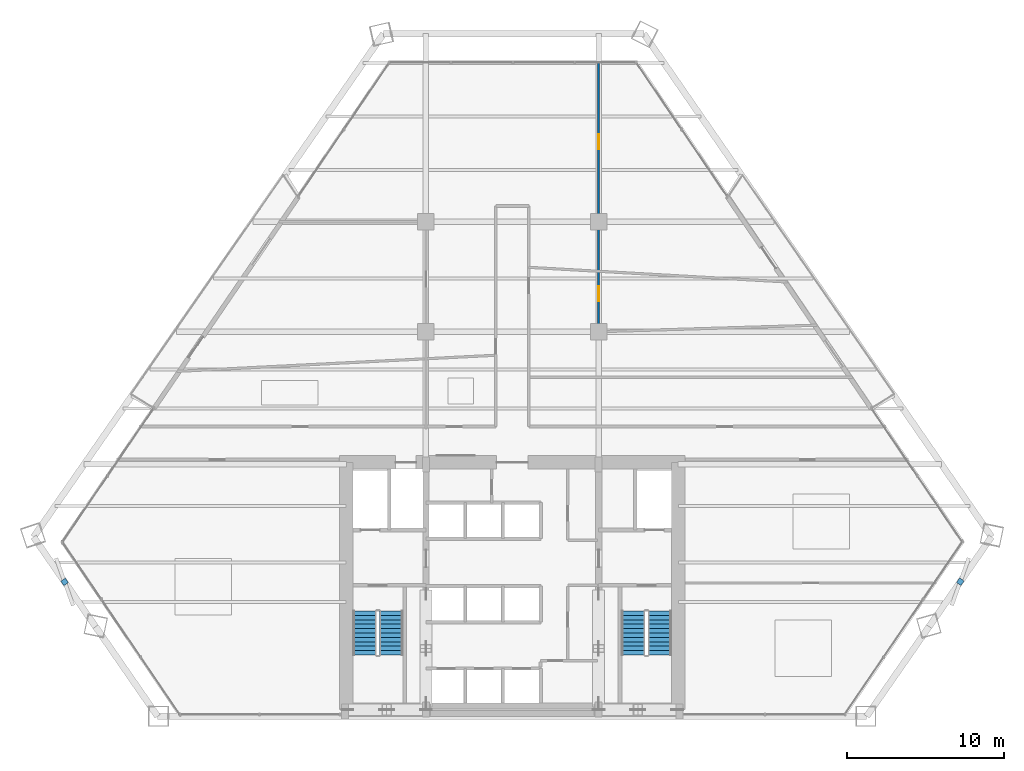
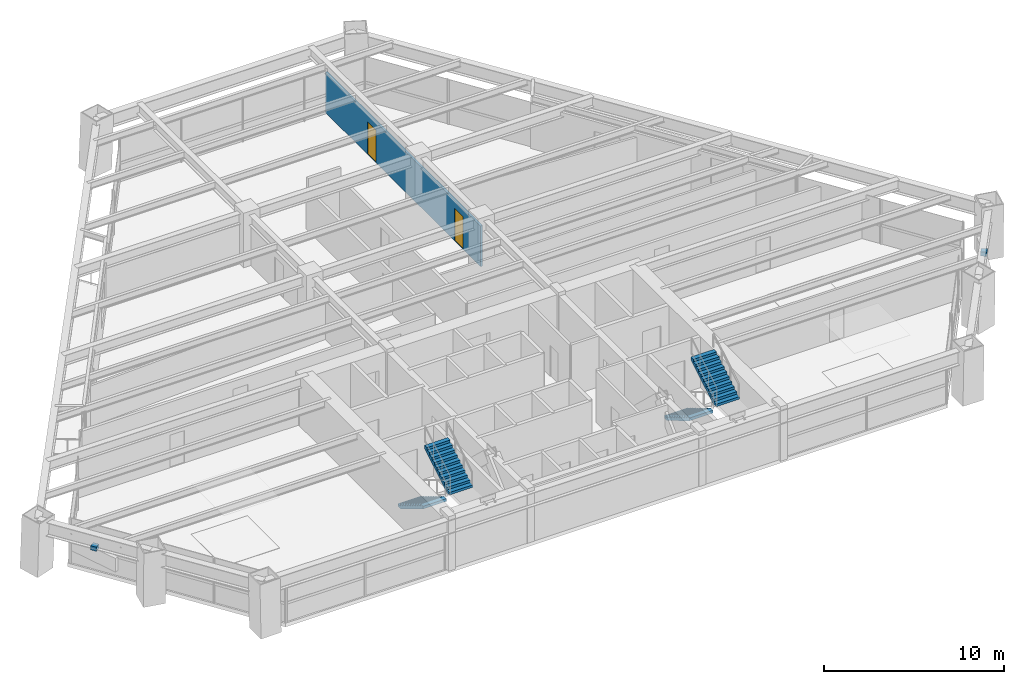
# One storey, part 12 of 14: 4 stair flights, 2 discrete accessories, 2 doors, 1 wall, 2 openings, 2 elements without a shape of their own.
"""IFC4 building model written with IfcOpenShell, lengths in metres."""

from ifc_helpers import new_model, si_unit, direction, frame, frame_2d, origin, origin_2d, place, context, subcontext, project, spatial, polyline, rectangle, outline, extrude, source, transform, mapped, material, layer, layer_set, type_object, type_shapes, element, fill, aggregate, save


model = new_model("IFC4")

# Units and contexts
model_context = context("Model", 3, precision=1e-05, world=origin(), true_north=direction((0.0, 1.0)))
body_context = subcontext(model_context, "Body", "Model", "MODEL_VIEW")
ifc_project = project(units=[si_unit("LENGTHUNIT", "METRE"), si_unit("AREAUNIT", "SQUARE_METRE"), si_unit("VOLUMEUNIT", "CUBIC_METRE"), si_unit("PLANEANGLEUNIT", "RADIAN"), si_unit("MASSUNIT", "GRAM", prefix="KILO")], contexts=[model_context])

# Site, building, storey
site_placement = place(None, origin())
site = spatial("IfcSite", under=ifc_project, at=site_placement, CompositionType="ELEMENT")
building_placement = place(site_placement, origin())
building = spatial("IfcBuilding", under=site, at=building_placement, Name="Varnakhor Terracotta Tower", CompositionType="ELEMENT")
storey_placement = place(building_placement, frame((0.0, 0.0, 31.199951171875)))
storey = spatial("IfcBuildingStorey", under=building, at=storey_placement, Name="L06", CompositionType="ELEMENT", Elevation=31.199951171875)

# Wall, openings, doors
ifc_material_1 = material(Name="Acoustic Metal-Stud Partition", Category="gypsum")
ifc_layer = layer(ifc_material_1, 0.139892578125, Name="Acoustic Metal-Stud Partition")
ifc_layer_set = layer_set([ifc_layer], Name="Acoustic Metal-Stud Partition")
wall_type = type_object("IfcWallType", Name="WAL-PART-140", PredefinedType="PARTITIONING", material=ifc_layer_set)
wall_placement = place(storey_placement, frame((5.5, 24.5, 0.0), z_axis=(0.0, 0.0, 1.0), x_axis=(0.0, 1.0, 0.0)))
wall = element("IfcWall", 1, at=wall_placement, inside=storey, type_object=wall_type, Name="L06 East Column Line Wall", PredefinedType="PARTITIONING", context=body_context, shape_type="SweptSolid", body=[
    extrude(rectangle(XDim=17.251220703125, YDim=0.139892578125, at=frame_2d((8.62548828125, 0.0))), origin(), (0.0, 0.0, 1.0), 2.7470703125),
])
opening_1_placement = place(wall_placement, frame((1.943115234375, 0.0, 0.0)))
opening_1 = element("IfcOpeningElement", 2, at=opening_1_placement, cuts=wall, Name="Opening DR-94", PredefinedType="OPENING", context=body_context, shape_type="SweptSolid", body=[
    extrude(rectangle(XDim=0.949951171875, YDim=2.199951171875, at=frame_2d((0.47509765625, 1.10009765625))), frame((0.0, 0.080078125, 0.0), z_axis=(0.0, -1.0, 0.0), x_axis=(1.0, 0.0, 0.0)), (0.0, 0.0, 1.0), 0.159912109375),
])
opening_2_placement = place(wall_placement, frame((11.61279296875, 0.0, 0.0)))
opening_2 = element("IfcOpeningElement", 3, at=opening_2_placement, cuts=wall, Name="Opening DR-94", PredefinedType="OPENING", context=body_context, shape_type="SweptSolid", body=[
    extrude(rectangle(XDim=0.949951171875, YDim=2.199951171875, at=frame_2d((0.47509765625, 1.10009765625))), frame((0.0, 0.080078125, 0.0), z_axis=(0.0, -1.0, 0.0), x_axis=(1.0, 0.0, 0.0)), (0.0, 0.0, 1.0), 0.159912109375),
])
ifc_material_2 = material(Name="Acoustic Glazed-Vision Timber Office Door", Category="wood")
door_type = type_object("IfcDoorType", Name="DR-OFF-950X2200", OperationType="NOTDEFINED", PredefinedType="DOOR", material=ifc_material_2)
shared_shape_1 = source(origin(), body_context, "Body", "SweptSolid", [
    extrude(rectangle(XDim=0.949951171875, YDim=2.199951171875, at=frame_2d((0.47509765625, 1.10009765625))), frame((0.0, 0.02490234375, 0.0), z_axis=(0.0, -1.0, 0.0), x_axis=(1.0, 0.0, 0.0)), (0.0, 0.0, 1.0), 0.050048828125),
])
type_shapes(door_type, [shared_shape_1])
door_1_placement = place(opening_1_placement, origin())
door_1 = element("IfcDoor", 4, at=door_1_placement, inside=storey, type_object=door_type, Name="L06 Client Lounge Door", OperationType="SINGLE_SWING_LEFT", OverallHeight=2.199951171875, OverallWidth=0.949951171875, PredefinedType="DOOR", context=body_context, shape_type="MappedRepresentation", body=[
    mapped(shared_shape_1, transform((0.0, 0.0, 0.0), scale=1.0)),
])
fill(opening_1, door_1)
door_2_placement = place(opening_2_placement, origin())
door_2 = element("IfcDoor", 5, at=door_2_placement, inside=storey, type_object=door_type, Name="L06 Focus Study 1 Door", OperationType="SINGLE_SWING_LEFT", OverallHeight=2.199951171875, OverallWidth=0.949951171875, PredefinedType="DOOR", context=body_context, shape_type="MappedRepresentation", body=[
    mapped(shared_shape_1, transform((0.0, 0.0, 0.0), scale=1.0)),
])
fill(opening_2, door_2)

# Stair, stair flights
ifc_material_3 = material(Name="Concrete C40/50", Category="concrete")
stair_type = type_object("IfcStairType", Name="STR-CORE-OFFICE-1500", PredefinedType="HALF_TURN_STAIR", material=ifc_material_3)
stair_1_placement = place(storey_placement, origin())
stair_1 = element("IfcStair", 6, at=stair_1_placement, inside=storey, type_object=stair_type, Name="L06 Core Exit Stair ST-1", PredefinedType="HALF_TURN_STAIR")
stair_flight_type = type_object("IfcStairFlightType", Name="FLT-CORE-1500", PredefinedType="STRAIGHT", material=ifc_material_3)
stair_flight_1_placement = place(storey_placement, frame((-9.39990234375, 6.7099609375, 0.0), z_axis=(0.0, 0.0, 1.0), x_axis=(0.0, -1.0, 0.0)))
stair_flight_1 = element("IfcStairFlight", 7, at=stair_flight_1_placement, type_object=stair_flight_type, Name="ST-1 flight 1", NumberOfRisers=11, NumberOfTreads=10, PredefinedType="STRAIGHT", RiserHeight=0.168181818, TreadLength=0.28, context=body_context, shape_type="SweptSolid", body=[
    extrude(outline(polyline([(0.0, 0.0), (0.0, 0.168212890625), (0.280029296875, 0.168212890625), (0.280029296875, 0.33642578125), (0.56005859375, 0.33642578125), (0.56005859375, 0.504638671875), (0.840087890625, 0.504638671875), (0.840087890625, 0.672607421875), (1.1201171875, 0.672607421875), (1.1201171875, 0.8408203125), (1.39990234375, 0.8408203125), (1.39990234375, 1.009033203125), (1.679931640625, 1.009033203125), (1.679931640625, 1.17724609375), (1.9599609375, 1.17724609375), (1.9599609375, 1.345458984375), (2.239990234375, 1.345458984375), (2.239990234375, 1.513671875), (2.52001953125, 1.513671875), (2.52001953125, 1.681884765625), (2.800048828125, 1.681884765625), (2.800048828125, 1.85009765625), (2.800048828125, 1.495361328125), (0.310546875, 0.0), (0.0, 0.0)])), frame((0.0, 0.75, 0.0), z_axis=(0.0, -1.0, 0.0), x_axis=(1.0, 0.0, 0.0)), (0.0, 0.0, 1.0), 1.5),
])
stair_flight_2_placement = place(storey_placement, frame((-7.699951171875, 3.909912109375, 1.85009765625), z_axis=(0.0, 0.0, 1.0), x_axis=(0.0, 1.0, 0.0)))
stair_flight_2 = element("IfcStairFlight", 8, at=stair_flight_2_placement, type_object=stair_flight_type, Name="ST-1 flight 2", NumberOfRisers=11, NumberOfTreads=10, PredefinedType="STRAIGHT", RiserHeight=0.168181818, TreadLength=0.28, context=body_context, shape_type="SweptSolid", body=[
    extrude(outline(polyline([(0.0, 0.0), (0.0, 0.168212890625), (0.280029296875, 0.168212890625), (0.280029296875, 0.33642578125), (0.56005859375, 0.33642578125), (0.56005859375, 0.504638671875), (0.840087890625, 0.504638671875), (0.840087890625, 0.672607421875), (1.1201171875, 0.672607421875), (1.1201171875, 0.8408203125), (1.39990234375, 0.8408203125), (1.39990234375, 1.009033203125), (1.679931640625, 1.009033203125), (1.679931640625, 1.17724609375), (1.9599609375, 1.17724609375), (1.9599609375, 1.345458984375), (2.239990234375, 1.345458984375), (2.239990234375, 1.513671875), (2.52001953125, 1.513671875), (2.52001953125, 1.681884765625), (2.800048828125, 1.681884765625), (2.800048828125, 1.85009765625), (2.800048828125, 1.495361328125), (0.310546875, 0.0), (0.0, 0.0)])), frame((0.0, 0.75, 0.0), z_axis=(0.0, -1.0, 0.0), x_axis=(1.0, 0.0, 0.0)), (0.0, 0.0, 1.0), 1.5),
])
aggregate(stair_1, [stair_flight_1, stair_flight_2])

stair_2_placement = place(storey_placement, origin())
stair_2 = element("IfcStair", 9, at=stair_2_placement, inside=storey, type_object=stair_type, Name="L06 Core Exit Stair ST-2", PredefinedType="HALF_TURN_STAIR")
stair_flight_3_placement = place(storey_placement, frame((7.699951171875, 6.7099609375, 0.0), z_axis=(0.0, 0.0, 1.0), x_axis=(0.0, -1.0, 0.0)))
stair_flight_3 = element("IfcStairFlight", 10, at=stair_flight_3_placement, type_object=stair_flight_type, Name="ST-2 flight 1", NumberOfRisers=11, NumberOfTreads=10, PredefinedType="STRAIGHT", RiserHeight=0.168181818, TreadLength=0.28, context=body_context, shape_type="SweptSolid", body=[
    extrude(outline(polyline([(0.0, 0.0), (0.0, 0.168212890625), (0.280029296875, 0.168212890625), (0.280029296875, 0.33642578125), (0.56005859375, 0.33642578125), (0.56005859375, 0.504638671875), (0.840087890625, 0.504638671875), (0.840087890625, 0.672607421875), (1.1201171875, 0.672607421875), (1.1201171875, 0.8408203125), (1.39990234375, 0.8408203125), (1.39990234375, 1.009033203125), (1.679931640625, 1.009033203125), (1.679931640625, 1.17724609375), (1.9599609375, 1.17724609375), (1.9599609375, 1.345458984375), (2.239990234375, 1.345458984375), (2.239990234375, 1.513671875), (2.52001953125, 1.513671875), (2.52001953125, 1.681884765625), (2.800048828125, 1.681884765625), (2.800048828125, 1.85009765625), (2.800048828125, 1.495361328125), (0.310546875, 0.0), (0.0, 0.0)])), frame((0.0, 0.75, 0.0), z_axis=(0.0, -1.0, 0.0), x_axis=(1.0, 0.0, 0.0)), (0.0, 0.0, 1.0), 1.5),
])
stair_flight_4_placement = place(storey_placement, frame((9.39990234375, 3.909912109375, 1.85009765625), z_axis=(0.0, 0.0, 1.0), x_axis=(0.0, 1.0, 0.0)))
stair_flight_4 = element("IfcStairFlight", 11, at=stair_flight_4_placement, type_object=stair_flight_type, Name="ST-2 flight 2", NumberOfRisers=11, NumberOfTreads=10, PredefinedType="STRAIGHT", RiserHeight=0.168181818, TreadLength=0.28, context=body_context, shape_type="SweptSolid", body=[
    extrude(outline(polyline([(0.0, 0.0), (0.0, 0.168212890625), (0.280029296875, 0.168212890625), (0.280029296875, 0.33642578125), (0.56005859375, 0.33642578125), (0.56005859375, 0.504638671875), (0.840087890625, 0.504638671875), (0.840087890625, 0.672607421875), (1.1201171875, 0.672607421875), (1.1201171875, 0.8408203125), (1.39990234375, 0.8408203125), (1.39990234375, 1.009033203125), (1.679931640625, 1.009033203125), (1.679931640625, 1.17724609375), (1.9599609375, 1.17724609375), (1.9599609375, 1.345458984375), (2.239990234375, 1.345458984375), (2.239990234375, 1.513671875), (2.52001953125, 1.513671875), (2.52001953125, 1.681884765625), (2.800048828125, 1.681884765625), (2.800048828125, 1.85009765625), (2.800048828125, 1.495361328125), (0.310546875, 0.0), (0.0, 0.0)])), frame((0.0, 0.75, 0.0), z_axis=(0.0, -1.0, 0.0), x_axis=(1.0, 0.0, 0.0)), (0.0, 0.0, 1.0), 1.5),
])
aggregate(stair_2, [stair_flight_3, stair_flight_4])

# Discrete accessories
ifc_material_4 = material(Name="Stainless Steel Fixing Bracket", Category="steel")
discrete_accessory_type = type_object("IfcDiscreteAccessoryType", Name="BRACKET-TERRACOTTA-SCREEN", PredefinedType="BRACKET", material=ifc_material_4)
shared_shape_2 = source(origin(), body_context, "Body", "SweptSolid", [
    extrude(rectangle(XDim=0.35009765625, YDim=0.35009765625, at=origin_2d()), origin(), (0.0, 0.0, 1.0), 0.280029296875),
])
type_shapes(discrete_accessory_type, [shared_shape_2])
for number, where, z_axis, x_axis, name in (
    (12, (28.53369140625, 8.577392578125, 2.39306640625), (0.0, 0.0, 1.0), (0.570799555099, 0.821089439646, 0.0), "L06 E Screen Fixing Bracket"),
    (13, (-28.511962890625, 8.56689453125, 2.39306640625), (0.0, 0.0, 1.0), (0.568590565959, -0.822620670967, 0.0), "L06 W Screen Fixing Bracket"),
):
    element("IfcDiscreteAccessory", number, at=place(storey_placement, frame(where, z_axis=z_axis, x_axis=x_axis)), inside=storey, type_object=discrete_accessory_type, Name=name, PredefinedType="BRACKET", context=body_context, shape_type="MappedRepresentation", body=[
        mapped(shared_shape_2, transform((0.0, 0.0, 0.0), scale=1.0)),
    ])

save(model, "model.ifc")
